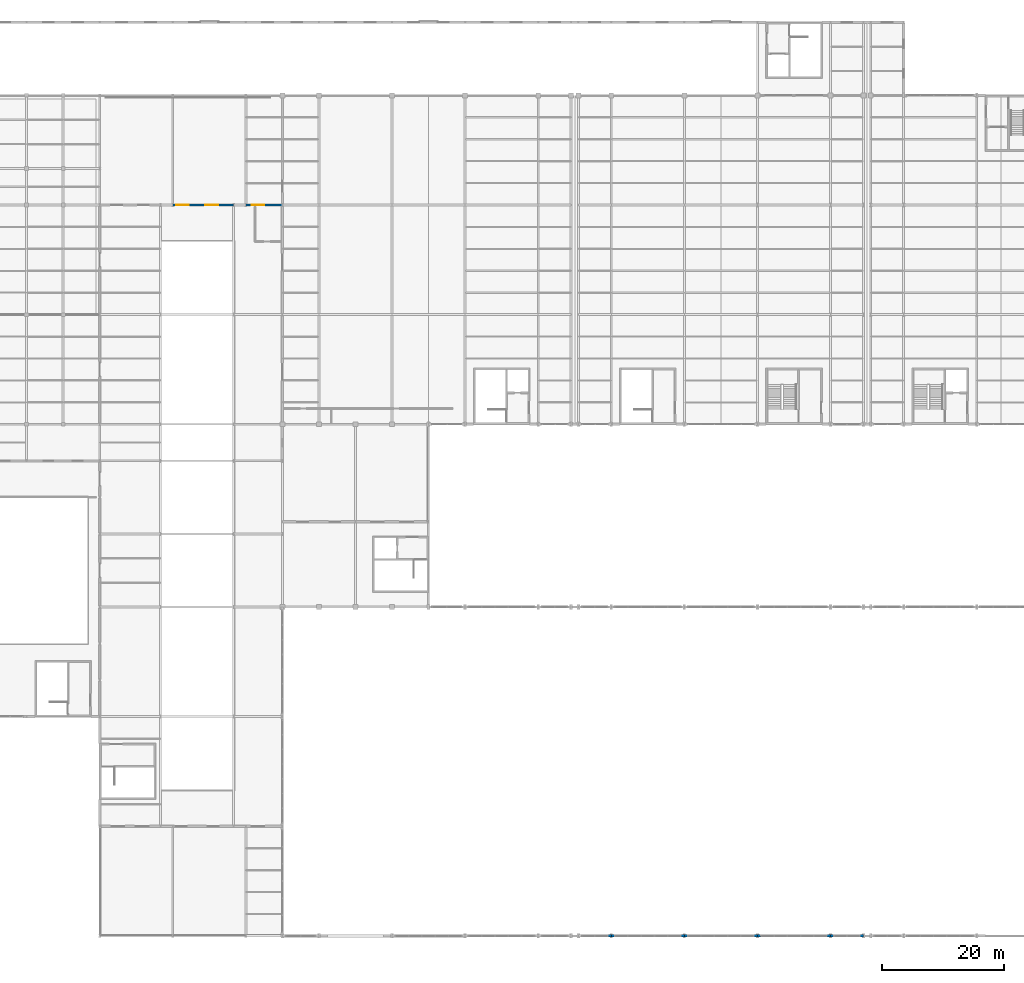
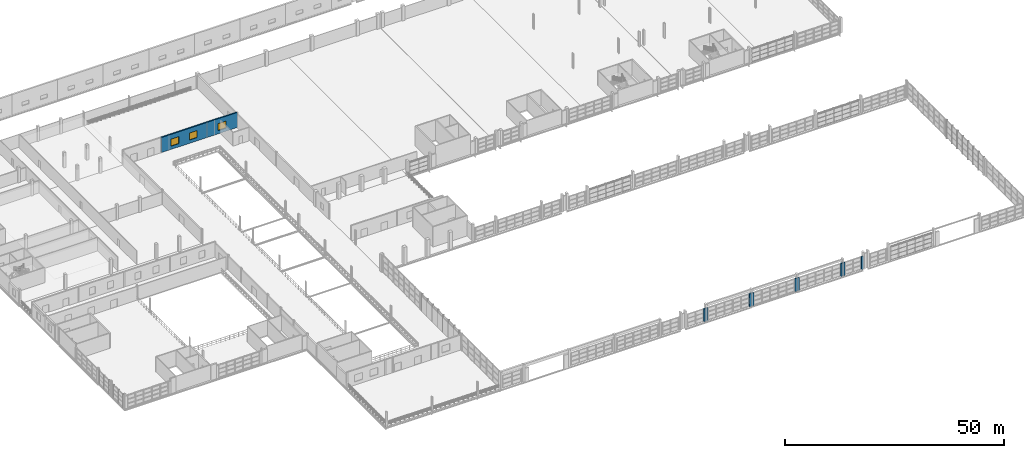
# One storey, part 136 of 147: 11 walls, 3 windows, 3 openings.
"""IFC4 building model written with IfcOpenShell, lengths in metres."""

import ifcopenshell
import ifcopenshell.guid

model = None  # the IFC model being written
_history = None  # IfcOwnerHistory: only IFC2X3 demands one
_inside = {}  # id of a spatial element -> (the spatial element, [elements in it])
_under = {}  # id of a project, library or spatial element -> (it, [spatial elements below it])
_declared = {}  # id of a project -> (the project, [libraries it declares])
_typed = {}  # id of a type object -> (the type object, [elements of that type])
_made_of = {}  # id of a material, layer set ... -> (it, [elements and type objects made of it])


def new_model(schema):
    """Start an empty IFC model of exactly this schema.

    Asked for "IFC4X3", IfcOpenShell would pick the latest addendum, in which some entities
    have other attributes; the version numbers below select the first issue.
    IFC2X3 requires an IfcOwnerHistory on every rooted entity: one is made here for all.
    """
    global model, _history
    if schema == "IFC4X3":
        model = ifcopenshell.file(schema_version=(4, 3, 0, 0))
    else:
        model = ifcopenshell.file(schema=schema)
    _inside.clear()
    _under.clear()
    _declared.clear()
    _typed.clear()
    _made_of.clear()
    _history = None
    if model.schema == "IFC2X3":
        org = make("IfcOrganization", Name="unknown")
        user = make(
            "IfcPersonAndOrganization",
            ThePerson=make("IfcPerson", FamilyName="unknown"),
            TheOrganization=org,
        )
        app = make(
            "IfcApplication",
            ApplicationDeveloper=org,
            Version="unknown",
            ApplicationFullName="unknown",
            ApplicationIdentifier="unknown",
        )
        _history = make(
            "IfcOwnerHistory",
            OwningUser=user,
            OwningApplication=app,
            ChangeAction="ADDED",
            CreationDate=0,
        )
    return model


def make(cls, **values):
    """One entity of the class cls with the attributes given. An attribute that is None is left unset."""
    return model.create_entity(
        cls, **{name: value for name, value in values.items() if value is not None}
    )


def rooted(cls, **values):
    """An entity with a GlobalId (a new one), such as an element, a storey or a relation."""
    return make(cls, GlobalId=ifcopenshell.guid.new(), OwnerHistory=_history, **values)


def si_unit(unit_type, name, prefix=None):
    """IfcSIUnit, for example si_unit("LENGTHUNIT", "METRE", prefix="MILLI")."""
    return make("IfcSIUnit", UnitType=unit_type, Prefix=prefix, Name=name)


def assignment(units):
    """IfcUnitAssignment: the units of a project."""
    return None if units is None else make("IfcUnitAssignment", Units=units)


def point(xyz):
    """IfcCartesianPoint."""
    return None if xyz is None else make("IfcCartesianPoint", Coordinates=xyz)


def direction(xyz):
    """IfcDirection."""
    return None if xyz is None else make("IfcDirection", DirectionRatios=xyz)


def frame(location, z_axis=None, x_axis=None):
    """IfcAxis2Placement3D, a coordinate frame: its origin and axes. An axis left out is left unset."""
    return make(
        "IfcAxis2Placement3D",
        Location=point(location),
        Axis=direction(z_axis),
        RefDirection=direction(x_axis),
    )


def frame_2d(location, x_axis=None):
    """IfcAxis2Placement2D, a coordinate frame in the plane: its origin and x axis."""
    return make(
        "IfcAxis2Placement2D", Location=point(location), RefDirection=direction(x_axis)
    )


def origin():
    """The frame at (0, 0, 0) with its axes left unset."""
    return frame((0.0, 0.0, 0.0))


def place(relative_to, where):
    """IfcLocalPlacement: puts the frame where relative to a parent placement (None: the world)."""
    return make(
        "IfcLocalPlacement", PlacementRelTo=relative_to, RelativePlacement=where
    )


def context(
    kind, dimensions, precision=None, world=None, true_north=None, identifier=None
):
    """IfcGeometricRepresentationContext, for example the 3D "Model" context."""
    return make(
        "IfcGeometricRepresentationContext",
        ContextIdentifier=identifier,
        ContextType=kind,
        CoordinateSpaceDimension=dimensions,
        Precision=precision,
        WorldCoordinateSystem=world,
        TrueNorth=true_north,
    )


def subcontext(parent, identifier, kind, view, scale=None):
    """IfcGeometricRepresentationSubContext, for example "Body" below "Model"."""
    return make(
        "IfcGeometricRepresentationSubContext",
        ContextIdentifier=identifier,
        ContextType=kind,
        ParentContext=parent,
        TargetScale=scale,
        TargetView=view,
    )


def project(units=None, contexts=None):
    """IfcProject with its units and contexts."""
    return rooted(
        "IfcProject",
        Name="project",
        RepresentationContexts=contexts,
        UnitsInContext=assignment(units),
    )


def spatial(cls, under=None, at=None, **own):
    """A site, building, storey or space (cls), placed at a placement, below another one or the project."""
    s = rooted(cls, ObjectPlacement=at, **own)
    if under is not None:
        _under.setdefault(under.id(), (under, []))[1].append(s)
    return s


def profile(cls, at=None, kind="AREA", **sizes):
    """A parametric profile (cls). Its sizes go by their IFC names, for example OverallWidth=200.0."""
    return make(cls, ProfileType=kind, Position=at, **sizes)


def rectangle(**sizes):
    """IfcRectangleProfileDef."""
    return profile("IfcRectangleProfileDef", **sizes)


def extrude(swept, where, along, depth):
    """IfcExtrudedAreaSolid: the profile swept, set in the frame where, extruded along a direction by depth."""
    return make(
        "IfcExtrudedAreaSolid",
        SweptArea=swept,
        Position=where,
        ExtrudedDirection=direction(along),
        Depth=depth,
    )


def shape(context_of_items, identifier, shape_type, items):
    """IfcShapeRepresentation: the items that make up one representation, for example the "Body"."""
    return make(
        "IfcShapeRepresentation",
        ContextOfItems=context_of_items,
        RepresentationIdentifier=identifier,
        RepresentationType=shape_type,
        Items=items,
    )


def material(Name=None, Category=None):
    """IfcMaterial."""
    return make("IfcMaterial", Name=Name, Category=Category)


def layer(
    of_material, thickness, ventilated=None, Name=None, Category=None, Priority=None
):
    """IfcMaterialLayer: one layer of a wall or slab, of a material (None: an air gap)."""
    return make(
        "IfcMaterialLayer",
        Material=of_material,
        LayerThickness=thickness,
        IsVentilated=ventilated,
        Name=Name,
        Category=Category,
        Priority=Priority,
    )


def layer_set(layers, Name=None):
    """IfcMaterialLayerSet."""
    return make("IfcMaterialLayerSet", MaterialLayers=layers, LayerSetName=Name)


def made_of(thing, what):
    """Note that an element or type object is made of a material, layer set ...; save() writes the relation."""
    if what is not None:
        _made_of.setdefault(what.id(), (what, []))[1].append(thing)
    return thing


def type_object(cls, material=None, **own):
    """A type object (cls), such as IfcWallType, which elements share."""
    return made_of(rooted(cls, **own), material)


def element(
    cls,
    number,
    at=None,
    inside=None,
    cuts=None,
    type_object=None,
    material=None,
    context=None,
    identifier="Body",
    shape_type=None,
    held_by="IfcProductDefinitionShape",
    body=None,
    shapes=None,
    **own,
):
    """One element of the class cls, such as IfcWall. Its Tag is "e" and its number.

    at: its placement. inside: the storey or other place that contains it. cuts: it is an
    opening in that element (IfcRelVoidsElement). A single representation is given by context,
    identifier, shape_type and body (its items); several are given by shapes. held_by: the class
    of the entity that holds the representations. save() writes the other relations.
    """
    e = rooted(cls, Tag="e%d" % number, ObjectPlacement=at, **own)
    if body is not None:
        shapes = [shape(context, identifier, shape_type, body)]
    if shapes is not None:
        e.Representation = make(held_by, Representations=shapes)
    if inside is not None:
        _inside.setdefault(inside.id(), (inside, []))[1].append(e)
    if cuts is not None:
        rooted(
            "IfcRelVoidsElement", RelatingBuildingElement=cuts, RelatedOpeningElement=e
        )
    if type_object is not None:
        _typed.setdefault(type_object.id(), (type_object, []))[1].append(e)
    return made_of(e, material)


def fill(opening, filler):
    """IfcRelFillsElement: the door or window that sits in an opening."""
    return rooted(
        "IfcRelFillsElement",
        RelatingOpeningElement=opening,
        RelatedBuildingElement=filler,
    )


def aggregate(whole, parts):
    """IfcRelAggregates: a whole, such as a stair, and the parts it consists of."""
    return rooted("IfcRelAggregates", RelatingObject=whole, RelatedObjects=parts)


def save(model, path):
    """Write the relations noted so far, then the file.

    IfcRelAggregates (storeys below a building ...), IfcRelContainedInSpatialStructure (elements
    in a storey), IfcRelDefinesByType, IfcRelAssociatesMaterial and IfcRelDeclares: one each for
    every whole, place, type object, material and project.
    """
    for whole, parts in _under.values():
        aggregate(whole, parts)
    for where, things in _inside.values():
        rooted(
            "IfcRelContainedInSpatialStructure",
            RelatedElements=things,
            RelatingStructure=where,
        )
    for kind, things in _typed.values():
        rooted("IfcRelDefinesByType", RelatedObjects=things, RelatingType=kind)
    for what, things in _made_of.values():
        rooted("IfcRelAssociatesMaterial", RelatedObjects=things, RelatingMaterial=what)
    for by, libraries in _declared.values():
        rooted("IfcRelDeclares", RelatingContext=by, RelatedDefinitions=libraries)
    model.write(path)


model = new_model("IFC4")

# Units and contexts
model_context = context("Model", 3, precision=1e-05, world=origin(), true_north=direction((0.0, 1.0)))
body_context = subcontext(model_context, "Body", "Model", "MODEL_VIEW")
ifc_project = project(units=[si_unit("LENGTHUNIT", "METRE"), si_unit("AREAUNIT", "SQUARE_METRE"), si_unit("VOLUMEUNIT", "CUBIC_METRE"), si_unit("PLANEANGLEUNIT", "RADIAN"), si_unit("MASSUNIT", "GRAM", prefix="KILO")], contexts=[model_context])

# Site, building, storey
site_placement = place(None, origin())
site = spatial("IfcSite", under=ifc_project, at=site_placement, CompositionType="ELEMENT")
building_placement = place(site_placement, origin())
building = spatial("IfcBuilding", under=site, at=building_placement, Name="Zilviju Railside Exhibition Hall", CompositionType="ELEMENT")
storey_placement = place(building_placement, frame((0.0, 0.0, 8.39990234375)))
storey = spatial("IfcBuildingStorey", under=building, at=storey_placement, Name="L03", CompositionType="ELEMENT", Elevation=8.39990234375)

# Wall, openings, windows
ifc_material_1 = material(Name="Insulated terrace foyer masonry wall", Category="masonry")
ifc_layer_1 = layer(ifc_material_1, 0.340087890625)
ifc_layer_set_1 = layer_set([ifc_layer_1], Name="Insulated terrace foyer masonry wall")
wall_type_1 = type_object("IfcWallType", Name="WL-EXT-340", PredefinedType="SOLIDWALL", material=ifc_layer_set_1)
wall_1_placement = place(storey_placement, frame((58.0, 120.0, 0.0), z_axis=(0.0, 0.0, 1.0), x_axis=(1.0, 0.0, 0.0)))
wall_1 = element("IfcWall", 1, at=wall_1_placement, inside=storey, type_object=wall_type_1, Name="Exterior Facade Wall L03 North 0413", PredefinedType="SOLIDWALL", context=body_context, shape_type="SweptSolid", body=[
    extrude(rectangle(XDim=12.0, YDim=0.340087890625, at=frame_2d((6.0, 0.0))), origin(), (0.0, 0.0, 1.0), 4.2001953125),
])
opening_1_placement = place(wall_1_placement, frame((2.550048828125, 0.0, 0.89990234375)))
opening_1 = element("IfcOpeningElement", 2, at=opening_1_placement, cuts=wall_1, Name="Opening WN-15", PredefinedType="OPENING", context=body_context, shape_type="SweptSolid", body=[
    extrude(rectangle(XDim=2.10009765625, YDim=1.949951171875, at=frame_2d((1.050048828125, 0.97509765625))), frame((0.0, 0.179931640625, 0.0), z_axis=(0.0, -1.0, 0.0), x_axis=(1.0, 0.0, 0.0)), (0.0, 0.0, 1.0), 0.360107421875),
])
opening_2_placement = place(wall_1_placement, frame((7.35009765625, 0.0, 0.89990234375)))
opening_2 = element("IfcOpeningElement", 3, at=opening_2_placement, cuts=wall_1, Name="Opening WN-15", PredefinedType="OPENING", context=body_context, shape_type="SweptSolid", body=[
    extrude(rectangle(XDim=2.10009765625, YDim=1.949951171875, at=frame_2d((1.050048828125, 0.97509765625))), frame((0.0, 0.179931640625, 0.0), z_axis=(0.0, -1.0, 0.0), x_axis=(1.0, 0.0, 0.0)), (0.0, 0.0, 1.0), 0.360107421875),
])
ifc_material_2 = material(Name="Triple-glazed timber-aluminium window unit", Category="wood")
window_type = type_object("IfcWindowType", Name="WIN-CON-210x195", PartitioningType="DOUBLE_PANEL_VERTICAL", PredefinedType="WINDOW", material=ifc_material_2)
window_1_placement = place(opening_1_placement, origin())
window_1 = element("IfcWindow", 4, at=window_1_placement, inside=storey, type_object=window_type, Name="Facade Window L03 WN-0017", OverallHeight=1.949951171875, OverallWidth=2.10009765625, PartitioningType="SINGLE_PANEL", PredefinedType="WINDOW", context=body_context, shape_type="SweptSolid", body=[
    extrude(rectangle(XDim=2.10009765625, YDim=1.949951171875, at=frame_2d((1.050048828125, 0.97509765625))), frame((0.0, 0.030029296875, 0.0), z_axis=(0.0, -1.0, 0.0), x_axis=(1.0, 0.0, 0.0)), (0.0, 0.0, 1.0), 0.06005859375),
])
fill(opening_1, window_1)
window_2_placement = place(opening_2_placement, origin())
window_2 = element("IfcWindow", 5, at=window_2_placement, inside=storey, type_object=window_type, Name="Facade Window L03 WN-0018", OverallHeight=1.949951171875, OverallWidth=2.10009765625, PartitioningType="SINGLE_PANEL", PredefinedType="WINDOW", context=body_context, shape_type="SweptSolid", body=[
    extrude(rectangle(XDim=2.10009765625, YDim=1.949951171875, at=frame_2d((1.050048828125, 0.97509765625))), frame((0.0, 0.030029296875, 0.0), z_axis=(0.0, -1.0, 0.0), x_axis=(1.0, 0.0, 0.0)), (0.0, 0.0, 1.0), 0.06005859375),
])
fill(opening_2, window_2)

# Wall, opening, window
wall_2_placement = place(storey_placement, frame((70.0, 120.0, 0.0), z_axis=(0.0, 0.0, 1.0), x_axis=(1.0, 0.0, 0.0)))
wall_2 = element("IfcWall", 6, at=wall_2_placement, inside=storey, type_object=wall_type_1, Name="Exterior Facade Wall L03 North 0415", PredefinedType="SOLIDWALL", context=body_context, shape_type="SweptSolid", body=[
    extrude(rectangle(XDim=8.0, YDim=0.340087890625, at=frame_2d((4.0, 0.0))), origin(), (0.0, 0.0, 1.0), 4.2001953125),
])
opening_3_placement = place(wall_2_placement, frame((2.949951171875, 0.0, 0.89990234375)))
opening_3 = element("IfcOpeningElement", 7, at=opening_3_placement, cuts=wall_2, Name="Opening WN-15", PredefinedType="OPENING", context=body_context, shape_type="SweptSolid", body=[
    extrude(rectangle(XDim=2.10009765625, YDim=1.949951171875, at=frame_2d((1.050048828125, 0.97509765625))), frame((0.0, 0.179931640625, 0.0), z_axis=(0.0, -1.0, 0.0), x_axis=(1.0, 0.0, 0.0)), (0.0, 0.0, 1.0), 0.360107421875),
])
window_3_placement = place(opening_3_placement, origin())
window_3 = element("IfcWindow", 8, at=window_3_placement, inside=storey, type_object=window_type, Name="Facade Window L03 WN-0020", OverallHeight=1.949951171875, OverallWidth=2.10009765625, PartitioningType="SINGLE_PANEL", PredefinedType="WINDOW", context=body_context, shape_type="SweptSolid", body=[
    extrude(rectangle(XDim=2.10009765625, YDim=1.949951171875, at=frame_2d((1.050048828125, 0.97509765625))), frame((0.0, 0.030029296875, 0.0), z_axis=(0.0, -1.0, 0.0), x_axis=(1.0, 0.0, 0.0)), (0.0, 0.0, 1.0), 0.06005859375),
])
fill(opening_3, window_3)

# Walls
ifc_material_3 = material(Name="Insulated cream-brick upper facade wall", Category="masonry")
ifc_layer_2 = layer(ifc_material_3, 0.3798828125)
ifc_layer_set_2 = layer_set([ifc_layer_2], Name="Insulated cream-brick upper facade wall")
wall_type_2 = type_object("IfcWallType", Name="WL-EXT-380", PredefinedType="SOLIDWALL", material=ifc_layer_set_2)
wall_3_placement = place(storey_placement, frame((132.0, 0.0, 0.0), z_axis=(0.0, 0.0, 1.0), x_axis=(-1.0, 0.0, 0.0)))
element("IfcWall", 9, at=wall_3_placement, inside=storey, type_object=wall_type_2, Name="Curtain-Wall Jamb Closure Pier L03 0106", PredefinedType="SOLIDWALL", context=body_context, shape_type="SweptSolid", body=[
    extrude(rectangle(XDim=0.550048828125, YDim=0.3798828125, at=frame_2d((0.27490234375, 0.0))), origin(), (0.0, 0.0, 1.0), 3.56005859375),
])
wall_4_placement = place(storey_placement, frame((132.550048828125, 0.0, 0.0), z_axis=(0.0, 0.0, 1.0), x_axis=(-1.0, 0.0, 0.0)))
element("IfcWall", 10, at=wall_4_placement, inside=storey, type_object=wall_type_2, Name="Curtain-Wall Jamb Closure Pier L03 0107", PredefinedType="SOLIDWALL", context=body_context, shape_type="SweptSolid", body=[
    extrude(rectangle(XDim=0.548095703125, YDim=0.3798828125, at=frame_2d((0.27392578125, 0.0))), origin(), (0.0, 0.0, 1.0), 3.56005859375),
])
wall_5_placement = place(storey_placement, frame((144.0, 0.0, 0.0), z_axis=(0.0, 0.0, 1.0), x_axis=(-1.0, 0.0, 0.0)))
element("IfcWall", 11, at=wall_5_placement, inside=storey, type_object=wall_type_2, Name="Curtain-Wall Jamb Closure Pier L03 0108", PredefinedType="SOLIDWALL", context=body_context, shape_type="SweptSolid", body=[
    extrude(rectangle(XDim=0.550048828125, YDim=0.3798828125, at=frame_2d((0.27490234375, 0.0))), origin(), (0.0, 0.0, 1.0), 3.56005859375),
])
wall_6_placement = place(storey_placement, frame((144.550048828125, 0.0, 0.0), z_axis=(0.0, 0.0, 1.0), x_axis=(-1.0, 0.0, 0.0)))
element("IfcWall", 12, at=wall_6_placement, inside=storey, type_object=wall_type_2, Name="Curtain-Wall Jamb Closure Pier L03 0109", PredefinedType="SOLIDWALL", context=body_context, shape_type="SweptSolid", body=[
    extrude(rectangle(XDim=0.548095703125, YDim=0.3798828125, at=frame_2d((0.27392578125, 0.0))), origin(), (0.0, 0.0, 1.0), 3.56005859375),
])
wall_7_placement = place(storey_placement, frame((156.0, 0.0, 0.0), z_axis=(0.0, 0.0, 1.0), x_axis=(-1.0, 0.0, 0.0)))
element("IfcWall", 13, at=wall_7_placement, inside=storey, type_object=wall_type_2, Name="Curtain-Wall Jamb Closure Pier L03 0110", PredefinedType="SOLIDWALL", context=body_context, shape_type="SweptSolid", body=[
    extrude(rectangle(XDim=0.550048828125, YDim=0.3798828125, at=frame_2d((0.27490234375, 0.0))), origin(), (0.0, 0.0, 1.0), 3.56005859375),
])
wall_8_placement = place(storey_placement, frame((156.550048828125, 0.0, 0.0), z_axis=(0.0, 0.0, 1.0), x_axis=(-1.0, 0.0, 0.0)))
element("IfcWall", 14, at=wall_8_placement, inside=storey, type_object=wall_type_2, Name="Curtain-Wall Jamb Closure Pier L03 0111", PredefinedType="SOLIDWALL", context=body_context, shape_type="SweptSolid", body=[
    extrude(rectangle(XDim=0.548095703125, YDim=0.3798828125, at=frame_2d((0.27392578125, 0.0))), origin(), (0.0, 0.0, 1.0), 3.56005859375),
])
wall_9_placement = place(storey_placement, frame((168.0, 0.0, 0.0), z_axis=(0.0, 0.0, 1.0), x_axis=(-1.0, 0.0, 0.0)))
element("IfcWall", 15, at=wall_9_placement, inside=storey, type_object=wall_type_2, Name="Curtain-Wall Jamb Closure Pier L03 0112", PredefinedType="SOLIDWALL", context=body_context, shape_type="SweptSolid", body=[
    extrude(rectangle(XDim=0.550048828125, YDim=0.3798828125, at=frame_2d((0.27490234375, 0.0))), origin(), (0.0, 0.0, 1.0), 3.56005859375),
])
wall_10_placement = place(storey_placement, frame((168.550048828125, 0.0, 0.0), z_axis=(0.0, 0.0, 1.0), x_axis=(-1.0, 0.0, 0.0)))
element("IfcWall", 16, at=wall_10_placement, inside=storey, type_object=wall_type_2, Name="Curtain-Wall Jamb Closure Pier L03 0113", PredefinedType="SOLIDWALL", context=body_context, shape_type="SweptSolid", body=[
    extrude(rectangle(XDim=0.548095703125, YDim=0.3798828125, at=frame_2d((0.27392578125, 0.0))), origin(), (0.0, 0.0, 1.0), 3.56005859375),
])
wall_11_placement = place(storey_placement, frame((173.39794921875, 0.0, 0.0), z_axis=(0.0, 0.0, 1.0), x_axis=(-1.0, 0.0, 0.0)))
element("IfcWall", 17, at=wall_11_placement, inside=storey, type_object=wall_type_2, Name="Curtain-Wall Jamb Closure Pier L03 0114", PredefinedType="SOLIDWALL", context=body_context, shape_type="SweptSolid", body=[
    extrude(rectangle(XDim=0.5478515625, YDim=0.3798828125, at=frame_2d((0.27392578125, 0.0))), origin(), (0.0, 0.0, 1.0), 3.56005859375),
])

save(model, "model.ifc")
